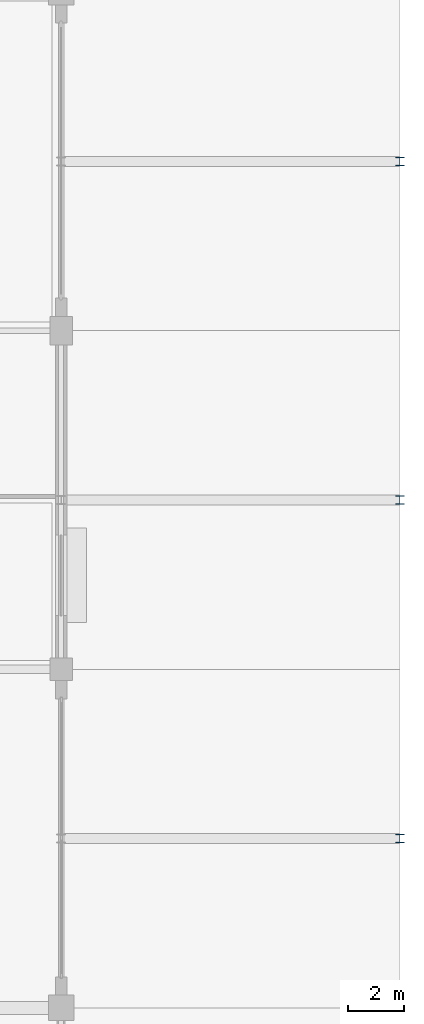
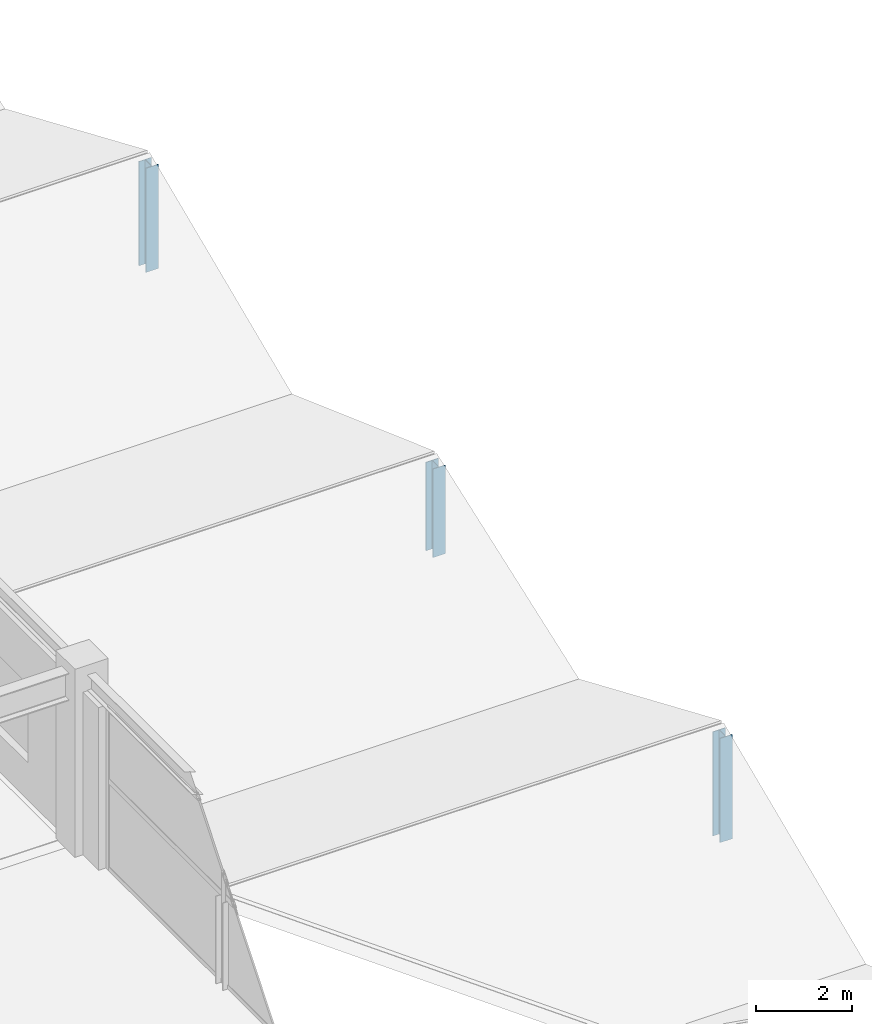
# One storey, part 47 of 134: 3 members.
"""IFC4 building model written with IfcOpenShell, lengths in metres."""

from ifc_helpers import new_model, si_unit, direction, frame, origin, origin_2d, place, context, subcontext, project, spatial, i_section, extrude, material, material_profile, profile_set, type_object, element, save


model = new_model("IFC4")

# Units and contexts
model_context = context("Model", 3, precision=1e-05, world=origin(), true_north=direction((0.0, 1.0)))
body_context = subcontext(model_context, "Body", "Model", "MODEL_VIEW")
ifc_project = project(units=[si_unit("LENGTHUNIT", "METRE"), si_unit("AREAUNIT", "SQUARE_METRE"), si_unit("VOLUMEUNIT", "CUBIC_METRE"), si_unit("PLANEANGLEUNIT", "RADIAN"), si_unit("MASSUNIT", "GRAM", prefix="KILO")], contexts=[model_context])

# Site, building, storey
site_placement = place(None, origin())
site = spatial("IfcSite", under=ifc_project, at=site_placement, CompositionType="ELEMENT")
building_placement = place(site_placement, origin())
building = spatial("IfcBuilding", under=site, at=building_placement, Name="Kazenohara Klinker Stadium", CompositionType="ELEMENT")
storey_placement = place(building_placement, frame((0.0, 0.0, 5.39990234375)))
storey = spatial("IfcBuildingStorey", under=building, at=storey_placement, Name="L01", CompositionType="ELEMENT", Elevation=5.39990234375)

# Members
ifc_material = material(Name="Steel S355", Category="steel")
ifc_material_profile = material_profile(ifc_material, i_section(OverallWidth=0.300048828125, OverallDepth=0.300048828125, WebThickness=0.010009765625, FlangeThickness=0.014892578125, FilletRadius=0.012939453125, at=origin_2d()), Name="H-300x300x10x15")
ifc_profile_set = profile_set([ifc_material_profile], Name="Steel S355")
member_type = type_object("IfcMemberType", Name="MEM-STR01", PredefinedType="STRUT", material=ifc_profile_set)
member_1_placement = place(storey_placement, frame((224.0, 66.0, -0.429931640625), z_axis=(0.0, 0.0, 1.0), x_axis=(1.0, 0.0, 0.0)))
element("IfcMember", 1, at=member_1_placement, inside=storey, type_object=member_type, Name="Stepped pavilion gable king-post L01 18/F E", PredefinedType="STRUT", context=body_context, shape_type="SweptSolid", body=[
    extrude(i_section(OverallWidth=0.300048828125, OverallDepth=0.300048828125, WebThickness=0.010009765625, FlangeThickness=0.014892578125, FilletRadius=0.012939453125, at=origin_2d()), origin(), (0.0, 0.0, 1.0), 2.659912109375),
])
member_2_placement = place(storey_placement, frame((224.0, 78.0, -0.429931640625), z_axis=(0.0, 0.0, 1.0), x_axis=(1.0, 0.0, 0.0)))
element("IfcMember", 2, at=member_2_placement, inside=storey, type_object=member_type, Name="Stepped pavilion gable king-post L01 18/G E", PredefinedType="STRUT", context=body_context, shape_type="SweptSolid", body=[
    extrude(i_section(OverallWidth=0.300048828125, OverallDepth=0.300048828125, WebThickness=0.010009765625, FlangeThickness=0.014892578125, FilletRadius=0.012939453125, at=origin_2d()), origin(), (0.0, 0.0, 1.0), 2.260009765625),
])
member_3_placement = place(storey_placement, frame((224.0, 90.0, -0.429931640625), z_axis=(0.0, 0.0, 1.0), x_axis=(1.0, 0.0, 0.0)))
element("IfcMember", 3, at=member_3_placement, inside=storey, type_object=member_type, Name="Stepped pavilion gable king-post L01 18/H E", PredefinedType="STRUT", context=body_context, shape_type="SweptSolid", body=[
    extrude(i_section(OverallWidth=0.300048828125, OverallDepth=0.300048828125, WebThickness=0.010009765625, FlangeThickness=0.014892578125, FilletRadius=0.012939453125, at=origin_2d()), origin(), (0.0, 0.0, 1.0), 2.659912109375),
])

save(model, "model.ifc")
